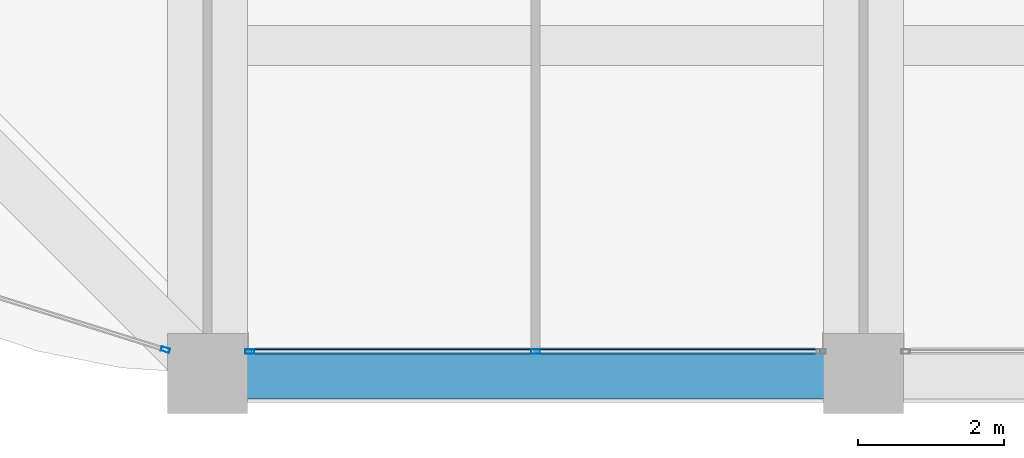
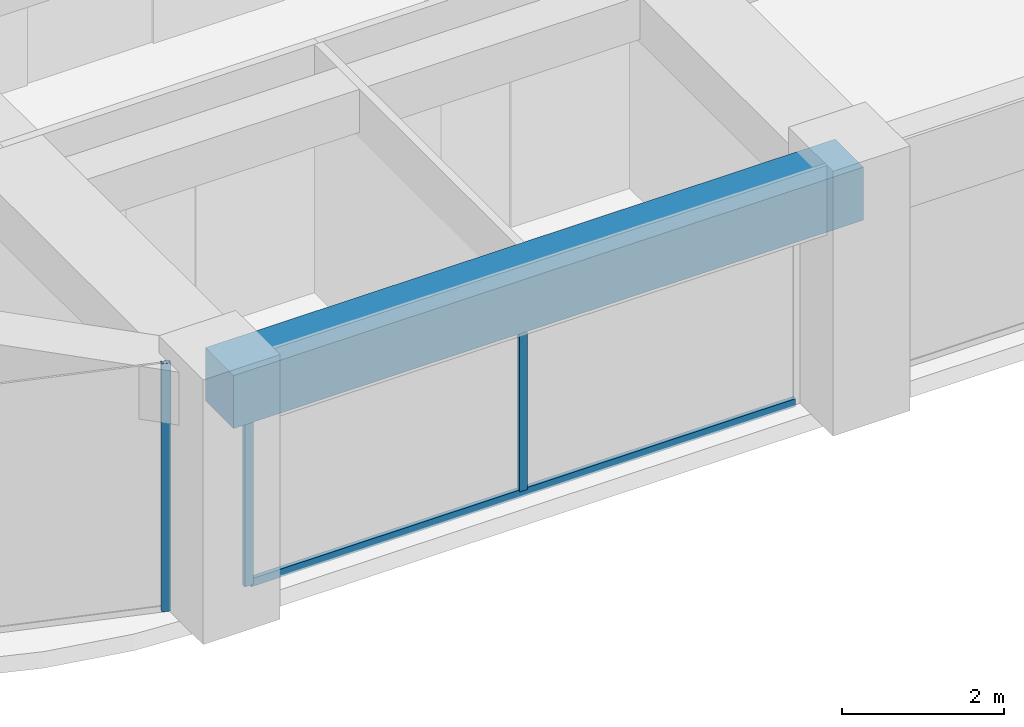
# One storey, part 4 of 44: 4 members, 1 beam, 2 elements without a shape of their own.
"""IFC4 building model written with IfcOpenShell, lengths in metres."""

from ifc_helpers import new_model, si_unit, direction, frame, origin, origin_2d, place, context, subcontext, project, spatial, rectangle, hollow_rectangle, extrude, material, material_profile, profile_set, type_object, element, aggregate, save


model = new_model("IFC4")

# Units and contexts
model_context = context("Model", 3, precision=1e-05, world=origin(), true_north=direction((0.0, 1.0)))
body_context = subcontext(model_context, "Body", "Model", "MODEL_VIEW")
ifc_project = project(units=[si_unit("LENGTHUNIT", "METRE"), si_unit("AREAUNIT", "SQUARE_METRE"), si_unit("VOLUMEUNIT", "CUBIC_METRE"), si_unit("PLANEANGLEUNIT", "RADIAN"), si_unit("MASSUNIT", "GRAM", prefix="KILO")], contexts=[model_context])

# Site, building, storey
site_placement = place(None, origin())
site = spatial("IfcSite", under=ifc_project, at=site_placement, CompositionType="ELEMENT")
building_placement = place(site_placement, origin())
building = spatial("IfcBuilding", under=site, at=building_placement, Name="Zorevar Civic Tower", CompositionType="ELEMENT")
storey_placement = place(building_placement, frame((0.0, 0.0, 259.39990234375)))
storey = spatial("IfcBuildingStorey", under=building, at=storey_placement, Name="L63", CompositionType="ELEMENT", Elevation=259.39990234375)

# Curtain wall, members
ifc_material_1 = material(Name="Dark grey solar-control glass in black aluminium frame", Category="aluminium")
curtain_wall_type = type_object("IfcCurtainWallType", Name="Curtain wall CW5 top zone", PredefinedType="NOTDEFINED", material=ifc_material_1)
curtain_wall_1_placement = place(storey_placement, origin())
curtain_wall_1 = element("IfcCurtainWall", 1, at=curtain_wall_1_placement, inside=storey, type_object=curtain_wall_type, Name="CW5 L63", PredefinedType="NOTDEFINED")
ifc_material_2 = material(Name="Aluminium, black anodised", Category="aluminium")
ifc_material_profile_1 = material_profile(ifc_material_2, hollow_rectangle(XDim=0.06005859375, YDim=0.1201171875, WallThickness=0.0029296875, at=origin_2d()), Name="AL 120x60x3")
ifc_profile_set_1 = profile_set([ifc_material_profile_1], Name="Aluminium, black anodised")
member_type_1 = type_object("IfcMemberType", Name="CW5 mullion AL 120x60x3", PredefinedType="MULLION", material=ifc_profile_set_1)
member_1_placement = place(storey_placement, frame((18.580078125, 0.300048828125, 0.0), z_axis=(0.0, 0.0, 1.0), x_axis=(0.0, 1.0, 0.0)))
member_1 = element("IfcMember", 2, at=member_1_placement, type_object=member_type_1, Name="CW5 mullion 1", PredefinedType="MULLION", context=body_context, shape_type="SweptSolid", body=[
    extrude(hollow_rectangle(XDim=0.06005859375, YDim=0.1201171875, WallThickness=0.0029296875, at=origin_2d()), origin(), (0.0, 0.0, 1.0), 2.9501953125),
])
member_2_placement = place(storey_placement, frame((22.5, 0.300048828125, 0.06005859375), z_axis=(0.0, 0.0, 1.0), x_axis=(0.0, 1.0, 0.0)))
member_2 = element("IfcMember", 3, at=member_2_placement, type_object=member_type_1, Name="CW5 mullion 2", PredefinedType="MULLION", context=body_context, shape_type="SweptSolid", body=[
    extrude(hollow_rectangle(XDim=0.06005859375, YDim=0.1201171875, WallThickness=0.0029296875, at=origin_2d()), origin(), (0.0, 0.0, 1.0), 2.89013671875),
])

# Curtain wall, member
curtain_wall_2_placement = place(storey_placement, origin())
curtain_wall_2 = element("IfcCurtainWall", 4, at=curtain_wall_2_placement, inside=storey, type_object=curtain_wall_type, Name="CW5 L63", PredefinedType="NOTDEFINED")
member_3_placement = place(storey_placement, frame((17.42138671875, 0.326416015625, 0.0), z_axis=(0.0, 0.0, 1.0), x_axis=(0.299317920238, 0.954153437674, 0.0)))
member_3 = element("IfcMember", 5, at=member_3_placement, type_object=member_type_1, Name="CW5 mullion 2", PredefinedType="MULLION", context=body_context, shape_type="SweptSolid", body=[
    extrude(hollow_rectangle(XDim=0.06005859375, YDim=0.1201171875, WallThickness=0.0029296875, at=origin_2d()), origin(), (0.0, 0.0, 1.0), 3.75),
])
aggregate(curtain_wall_2, [member_3])

# Member
ifc_material_3 = material(Name="Aluminium, black anodised", Category="aluminium")
ifc_material_profile_2 = material_profile(ifc_material_3, hollow_rectangle(XDim=0.06005859375, YDim=0.1201171875, WallThickness=0.0029296875, at=origin_2d()), Name="AL 120x60x3")
ifc_profile_set_2 = profile_set([ifc_material_profile_2], Name="Aluminium, black anodised")
member_type_2 = type_object("IfcMemberType", Name="CW5 transom AL 120x60x3", PredefinedType="USERDEFINED", material=ifc_profile_set_2)
member_4_placement = place(storey_placement, frame((18.610107421875, 0.300048828125, 0.030029296875), z_axis=(1.0, 0.0, 0.0), x_axis=(0.0, 1.0, 0.0)))
member_4 = element("IfcMember", 6, at=member_4_placement, type_object=member_type_2, Name="CW5 sill transom", ObjectType="TRANSOM", PredefinedType="USERDEFINED", context=body_context, shape_type="SweptSolid", body=[
    extrude(hollow_rectangle(XDim=0.06005859375, YDim=0.1201171875, WallThickness=0.0029296875, at=origin_2d()), origin(), (0.0, 0.0, 1.0), 7.77978515625),
])

aggregate(curtain_wall_1, [member_1, member_2, member_4])

# Beam
ifc_material_4 = material(Name="Concrete C50/60", Category="concrete")
ifc_material_profile_3 = material_profile(ifc_material_4, rectangle(XDim=0.699951171875, YDim=0.800048828125, at=origin_2d()), Name="RC 700x800")
ifc_profile_set_3 = profile_set([ifc_material_profile_3], Name="Concrete C50/60")
beam_type = type_object("IfcBeamType", Name="Edge beam RC 700x800", PredefinedType="SPANDREL", material=ifc_profile_set_3)
beam_placement = place(storey_placement, frame((18.0, 0.0, 3.35009765625), z_axis=(1.0, 0.0, 0.0), x_axis=(0.0, 1.0, 0.0)))
element("IfcBeam", 7, at=beam_placement, inside=storey, type_object=beam_type, Name="Edge beam L64", PredefinedType="SPANDREL", context=body_context, shape_type="SweptSolid", body=[
    extrude(rectangle(XDim=0.699951171875, YDim=0.800048828125, at=origin_2d()), origin(), (0.0, 0.0, 1.0), 9.0),
])

save(model, "model.ifc")
